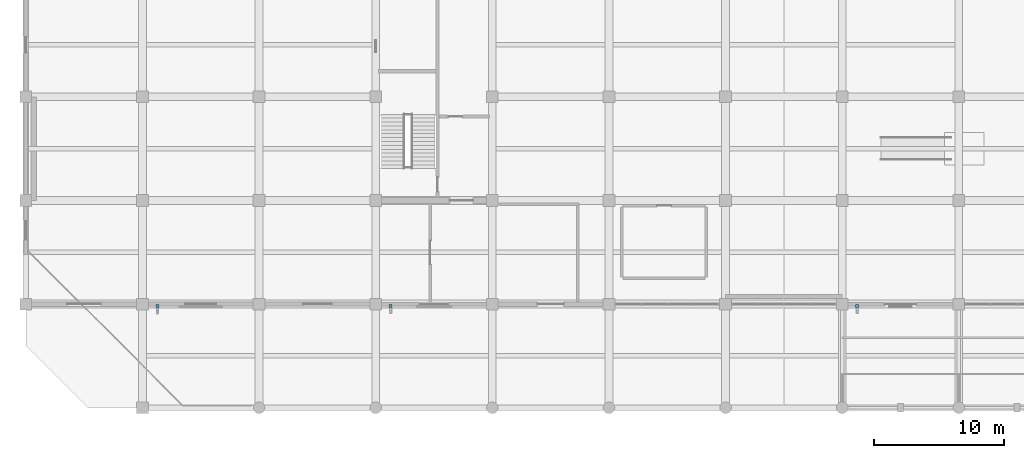
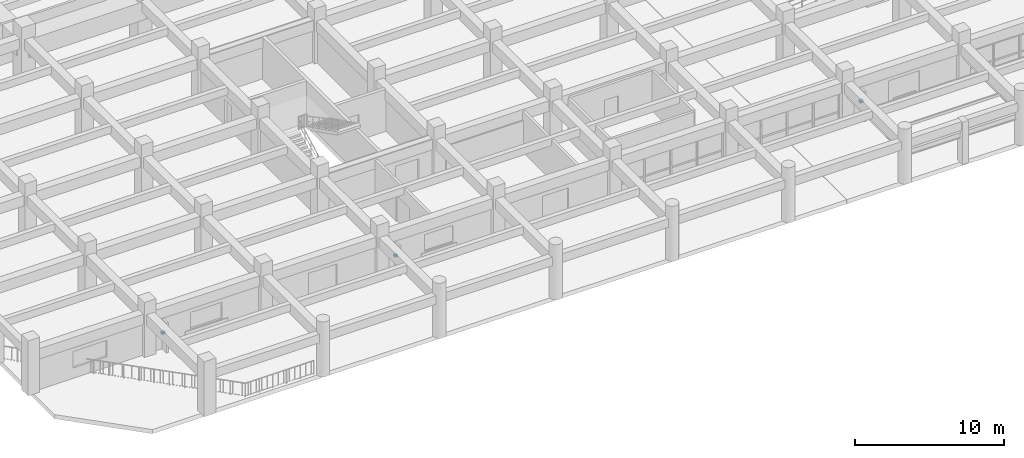
# One storey, part 32 of 40: 3 discrete accessories.
"""IFC4 building model written with IfcOpenShell, lengths in metres."""

from ifc_helpers import new_model, si_unit, direction, frame, origin, origin_2d, place, context, subcontext, project, spatial, rectangle, extrude, material, layer, layer_set, type_object, element, save


model = new_model("IFC4")

# Units and contexts
model_context = context("Model", 3, precision=1e-05, world=origin(), true_north=direction((0.0, 1.0)))
body_context = subcontext(model_context, "Body", "Model", "MODEL_VIEW")
ifc_project = project(units=[si_unit("LENGTHUNIT", "METRE"), si_unit("AREAUNIT", "SQUARE_METRE"), si_unit("VOLUMEUNIT", "CUBIC_METRE"), si_unit("PLANEANGLEUNIT", "RADIAN"), si_unit("MASSUNIT", "GRAM", prefix="KILO")], contexts=[model_context])

# Site, building, storey
site_placement = place(None, origin())
site = spatial("IfcSite", under=ifc_project, at=site_placement, CompositionType="ELEMENT")
building_placement = place(site_placement, origin())
building = spatial("IfcBuilding", under=site, at=building_placement, Name="Zaverband Oceanarium and Marine Research Institute", CompositionType="ELEMENT")
storey_placement = place(building_placement, origin())
storey = spatial("IfcBuildingStorey", under=building, at=storey_placement, Name="L00", CompositionType="ELEMENT", Elevation=0.0)

# Discrete accessories
ifc_material = material(Name="Steel S355", Category="steel")
ifc_layer = layer(ifc_material, 0.179931640625, Name="Steel S355")
ifc_layer_set = layer_set([ifc_layer], Name="Steel S355")
discrete_accessory_type = type_object("IfcDiscreteAccessoryType", Name="BRK-STL-200", PredefinedType="BRACKET", material=ifc_layer_set)
for number, where, z_axis, x_axis, name in (
    (1, (10.155029296875, 7.844970703125, 1.22021484375), (0.0, 0.0, 1.0), (1.0, 0.0, 0.0), "Galvanized steel facade fin structural bracket BRK-STL-200"),
    (2, (28.155029296875, 7.867431640625, 1.22021484375), (0.0, 0.0, 1.0), (1.0, 0.0, 0.0), "Galvanized steel facade fin structural bracket BRK-STL-200"),
    (3, (64.155029296875, 7.867431640625, 1.22021484375), (0.0, 0.0, 1.0), (1.0, 0.0, 0.0), "Galvanized steel facade fin structural bracket BRK-STL-200"),
):
    element("IfcDiscreteAccessory", number, at=place(storey_placement, frame(where, z_axis=z_axis, x_axis=x_axis)), inside=storey, type_object=discrete_accessory_type, Name=name, PredefinedType="BRACKET", context=body_context, shape_type="SweptSolid", body=[
        extrude(rectangle(XDim=0.239990234375, YDim=0.239990234375, at=origin_2d()), origin(), (0.0, 0.0, 1.0), 0.179931640625),
    ])

save(model, "model.ifc")
